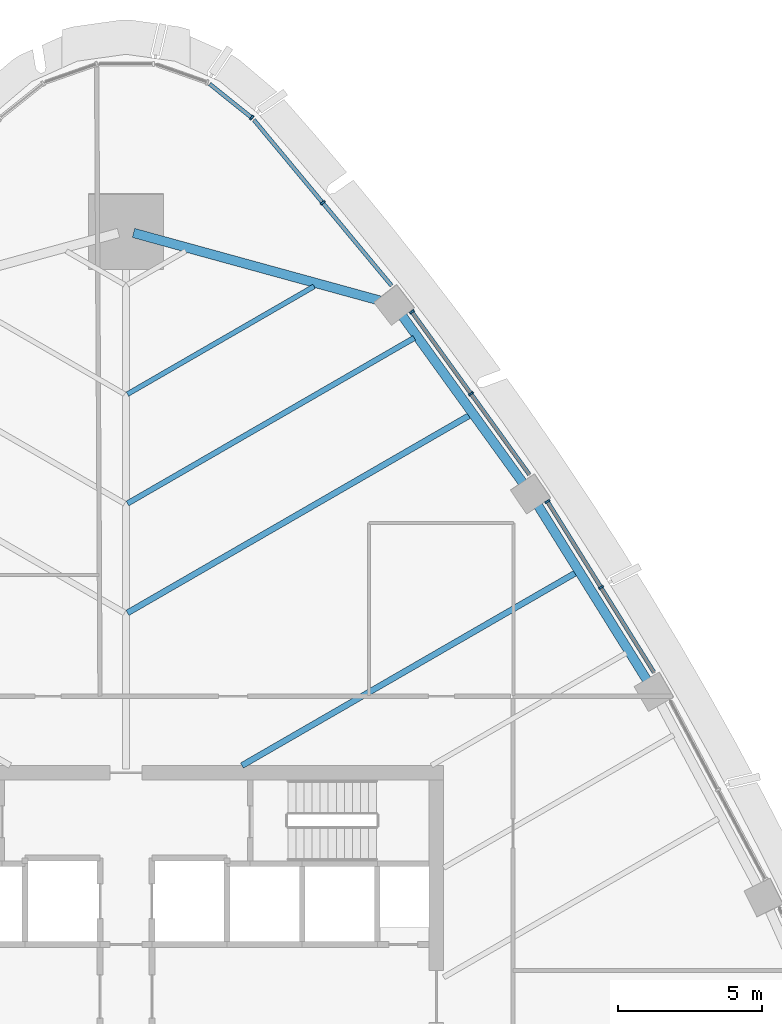
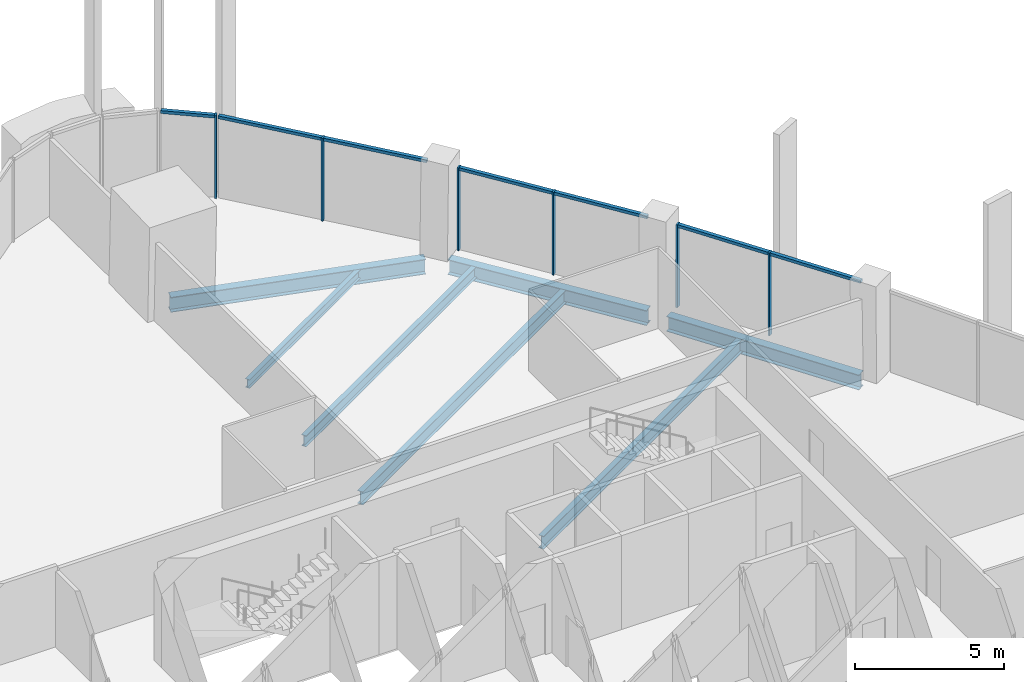
# One storey, part 7 of 17: 13 members, 7 beams, 4 elements without a shape of their own.
"""IFC4 building model written with IfcOpenShell, lengths in metres."""

from ifc_helpers import new_model, si_unit, direction, frame, origin, origin_2d, place, context, subcontext, project, spatial, rectangle, i_section, extrude, material, layer, layer_set, material_profile, profile_set, type_object, element, aggregate, save


model = new_model("IFC4")

# Units and contexts
model_context = context("Model", 3, precision=1e-05, world=origin(), true_north=direction((0.0, 1.0)))
body_context = subcontext(model_context, "Body", "Model", "MODEL_VIEW")
ifc_project = project(units=[si_unit("LENGTHUNIT", "METRE"), si_unit("AREAUNIT", "SQUARE_METRE"), si_unit("VOLUMEUNIT", "CUBIC_METRE"), si_unit("PLANEANGLEUNIT", "RADIAN"), si_unit("MASSUNIT", "GRAM", prefix="KILO")], contexts=[model_context])

# Site, building, storey
site_placement = place(None, origin())
site = spatial("IfcSite", under=ifc_project, at=site_placement, CompositionType="ELEMENT")
building_placement = place(site_placement, origin())
building = spatial("IfcBuilding", under=site, at=building_placement, Name="Sierra Prisma Convention Tower", CompositionType="ELEMENT")
storey_placement = place(building_placement, frame((0.0, 0.0, 201.800048828125)))
storey = spatial("IfcBuildingStorey", under=building, at=storey_placement, Name="L45", CompositionType="ELEMENT", Elevation=201.800048828125)

# Curtain wall, members
ifc_material_1 = material(Name="Aluminium and glass curtain wall", Category="aluminium")
ifc_layer = layer(ifc_material_1, 0.179931640625)
ifc_layer_set = layer_set([ifc_layer], Name="CW-1 Plain shaft curtain wall")
curtain_wall_type = type_object("IfcCurtainWallType", Name="CW-1 Plain shaft curtain wall", PredefinedType="NOTDEFINED", material=ifc_layer_set)
curtain_wall_1_placement = place(storey_placement, origin())
curtain_wall_1 = element("IfcCurtainWall", 1, at=curtain_wall_1_placement, inside=storey, type_object=curtain_wall_type, Name="CW-1 NE4 L45", PredefinedType="NOTDEFINED")
ifc_material_2 = material(Name="Aluminium 6063-T6 bronze anodised", Category="aluminium")
ifc_material_profile_1 = material_profile(ifc_material_2, rectangle(XDim=0.179931640625, YDim=0.070068359375, at=origin_2d()), Name="ALU MULLION 70x180")
ifc_profile_set_1 = profile_set([ifc_material_profile_1], Name="Aluminium 6063-T6 bronze anodised")
member_type_1 = type_object("IfcMemberType", Name="CW mullion bronze", PredefinedType="MULLION", material=ifc_profile_set_1)
member_1_placement = place(storey_placement, frame((16.450439453125, 14.166748046875, 0.0), z_axis=(0.0, 0.0, 1.0), x_axis=(-0.848568093007, -0.529086185353, 0.0)))
member_1 = element("IfcMember", 2, at=member_1_placement, type_object=member_type_1, Name="CW-1 mullion NE4.2", PredefinedType="MULLION", context=body_context, shape_type="SweptSolid", body=[
    extrude(rectangle(XDim=0.179931640625, YDim=0.070068359375, at=origin_2d()), origin(), (0.0, 0.0, 1.0), 3.39990234375),
])
member_2_placement = place(storey_placement, frame((14.593017578125, 17.14599609375, 0.0), z_axis=(0.0, 0.0, 1.0), x_axis=(-0.848568093007, -0.529086185353, 0.0)))
member_2 = element("IfcMember", 3, at=member_2_placement, type_object=member_type_1, Name="CW-1 mullion NE4.3", PredefinedType="MULLION", context=body_context, shape_type="SweptSolid", body=[
    extrude(rectangle(XDim=0.179931640625, YDim=0.070068359375, at=origin_2d()), origin(), (0.0, 0.0, 1.0), 3.39990234375),
])

curtain_wall_2_placement = place(storey_placement, origin())
curtain_wall_2 = element("IfcCurtainWall", 4, at=curtain_wall_2_placement, inside=storey, type_object=curtain_wall_type, Name="CW-1 NE5 L45", PredefinedType="NOTDEFINED")
member_3_placement = place(storey_placement, frame((11.944091796875, 20.8779296875, 0.0), z_axis=(0.0, 0.0, 1.0), x_axis=(-0.810745179898, -0.585399225548, 0.0)))
member_3 = element("IfcMember", 5, at=member_3_placement, type_object=member_type_1, Name="CW-1 mullion NE5.2", PredefinedType="MULLION", context=body_context, shape_type="SweptSolid", body=[
    extrude(rectangle(XDim=0.179931640625, YDim=0.070068359375, at=origin_2d()), origin(), (0.0, 0.0, 1.0), 3.39990234375),
])
member_4_placement = place(storey_placement, frame((9.897705078125, 23.7119140625, 0.0), z_axis=(0.0, 0.0, 1.0), x_axis=(-0.810745179898, -0.585399225548, 0.0)))
member_4 = element("IfcMember", 6, at=member_4_placement, type_object=member_type_1, Name="CW-1 mullion NE5.3", PredefinedType="MULLION", context=body_context, shape_type="SweptSolid", body=[
    extrude(rectangle(XDim=0.179931640625, YDim=0.070068359375, at=origin_2d()), origin(), (0.0, 0.0, 1.0), 3.39990234375),
])

# Curtain wall, member
curtain_wall_3_placement = place(storey_placement, origin())
curtain_wall_3 = element("IfcCurtainWall", 7, at=curtain_wall_3_placement, inside=storey, type_object=curtain_wall_type, Name="CW-1 NE6 L45", PredefinedType="NOTDEFINED")
member_5_placement = place(storey_placement, frame((6.810546875, 27.4892578125, 0.0), z_axis=(0.0, 0.0, 1.0), x_axis=(-0.769191435358, -0.639018415832, 0.0)))
member_5 = element("IfcMember", 8, at=member_5_placement, type_object=member_type_1, Name="CW-1 mullion NE6.2", PredefinedType="MULLION", context=body_context, shape_type="SweptSolid", body=[
    extrude(rectangle(XDim=0.179931640625, YDim=0.070068359375, at=origin_2d()), origin(), (0.0, 0.0, 1.0), 3.39990234375),
])

curtain_wall_4_placement = place(storey_placement, origin())
curtain_wall_4 = element("IfcCurtainWall", 9, at=curtain_wall_4_placement, inside=storey, type_object=curtain_wall_type, Name="CW-1 N1 L45", PredefinedType="NOTDEFINED")
member_6_placement = place(storey_placement, frame((4.353759765625, 30.435546875, 0.0), z_axis=(0.0, 0.0, 1.0), x_axis=(-0.624835061661, -0.780756777568, 0.0)))
member_6 = element("IfcMember", 10, at=member_6_placement, type_object=member_type_1, Name="CW-1 mullion N1.1", PredefinedType="MULLION", context=body_context, shape_type="SweptSolid", body=[
    extrude(rectangle(XDim=0.179931640625, YDim=0.070068359375, at=origin_2d()), origin(), (0.0, 0.0, 1.0), 3.39990234375),
])

# Member
ifc_material_3 = material(Name="Aluminium 6063-T6 bronze anodised", Category="aluminium")
ifc_material_profile_2 = material_profile(ifc_material_3, rectangle(XDim=0.139892578125, YDim=0.1201171875, at=origin_2d()), Name="ALU TRANSOM 120x140")
ifc_profile_set_2 = profile_set([ifc_material_profile_2], Name="Aluminium 6063-T6 bronze anodised")
member_type_2 = type_object("IfcMemberType", Name="CW transom bronze", PredefinedType="USERDEFINED", material=ifc_profile_set_2)
member_7_placement = place(storey_placement, frame((18.28955078125, 11.21728515625, 3.33984375), z_axis=(-0.52911211036, 0.848551928093, 0.0), x_axis=(-0.848551928093, -0.52911211036, 0.0)))
member_7 = element("IfcMember", 11, at=member_7_placement, type_object=member_type_2, Name="CW-1 transom NE4.1", ObjectType="TRANSOM", PredefinedType="USERDEFINED", context=body_context, shape_type="SweptSolid", body=[
    extrude(rectangle(XDim=0.139892578125, YDim=0.1201171875, at=origin_2d()), origin(), (0.0, 0.0, 1.0), 3.440673828125),
])

member_8_placement = place(storey_placement, frame((16.431884765625, 14.196533203125, 3.33984375), z_axis=(-0.529061016952, 0.848583785104, 0.0), x_axis=(-0.848583785104, -0.529061016952, 0.0)))
member_8 = element("IfcMember", 12, at=member_8_placement, type_object=member_type_2, Name="CW-1 transom NE4.2", ObjectType="TRANSOM", PredefinedType="USERDEFINED", context=body_context, shape_type="SweptSolid", body=[
    extrude(rectangle(XDim=0.139892578125, YDim=0.1201171875, at=origin_2d()), origin(), (0.0, 0.0, 1.0), 3.440673828125),
])

aggregate(curtain_wall_1, [member_1, member_2, member_7, member_8])

member_9_placement = place(storey_placement, frame((13.9697265625, 18.072265625, 3.33984375), z_axis=(-0.585396874917, 0.810746877168, 0.0), x_axis=(-0.810746877168, -0.585396874917, 0.0)))
member_9 = element("IfcMember", 13, at=member_9_placement, type_object=member_type_2, Name="CW-1 transom NE5.1", ObjectType="TRANSOM", PredefinedType="USERDEFINED", context=body_context, shape_type="SweptSolid", body=[
    extrude(rectangle(XDim=0.139892578125, YDim=0.1201171875, at=origin_2d()), origin(), (0.0, 0.0, 1.0), 3.42578125),
])

member_10_placement = place(storey_placement, frame((11.923583984375, 20.90625, 3.33984375), z_axis=(-0.585396874917, 0.810746877168, 0.0), x_axis=(-0.810746877168, -0.585396874917, 0.0)))
member_10 = element("IfcMember", 14, at=member_10_placement, type_object=member_type_2, Name="CW-1 transom NE5.2", ObjectType="TRANSOM", PredefinedType="USERDEFINED", context=body_context, shape_type="SweptSolid", body=[
    extrude(rectangle(XDim=0.139892578125, YDim=0.1201171875, at=origin_2d()), origin(), (0.0, 0.0, 1.0), 3.42578125),
])

aggregate(curtain_wall_2, [member_3, member_4, member_9, member_10])

member_11_placement = place(storey_placement, frame((9.1953125, 24.61865234375, 3.33984375), z_axis=(-0.638988436467, 0.76921634022, 0.0), x_axis=(-0.76921634022, -0.638988436467, 0.0)))
member_11 = element("IfcMember", 15, at=member_11_placement, type_object=member_type_2, Name="CW-1 transom NE6.1", ObjectType="TRANSOM", PredefinedType="USERDEFINED", context=body_context, shape_type="SweptSolid", body=[
    extrude(rectangle(XDim=0.139892578125, YDim=0.1201171875, at=origin_2d()), origin(), (0.0, 0.0, 1.0), 3.697021484375),
])

member_12_placement = place(storey_placement, frame((6.7880859375, 27.51611328125, 3.33984375), z_axis=(-0.638988436467, 0.76921634022, 0.0), x_axis=(-0.76921634022, -0.638988436467, 0.0)))
member_12 = element("IfcMember", 16, at=member_12_placement, type_object=member_type_2, Name="CW-1 transom NE6.2", ObjectType="TRANSOM", PredefinedType="USERDEFINED", context=body_context, shape_type="SweptSolid", body=[
    extrude(rectangle(XDim=0.139892578125, YDim=0.1201171875, at=origin_2d()), origin(), (0.0, 0.0, 1.0), 3.697021484375),
])

aggregate(curtain_wall_3, [member_5, member_11, member_12])

member_13_placement = place(storey_placement, frame((4.326416015625, 30.45751953125, 3.33984375), z_axis=(-0.780790688792, 0.624792685853, 0.0), x_axis=(-0.624792685853, -0.780790688792, 0.0)))
member_13 = element("IfcMember", 17, at=member_13_placement, type_object=member_type_2, Name="CW-1 transom N1.1", ObjectType="TRANSOM", PredefinedType="USERDEFINED", context=body_context, shape_type="SweptSolid", body=[
    extrude(rectangle(XDim=0.139892578125, YDim=0.1201171875, at=origin_2d()), origin(), (0.0, 0.0, 1.0), 1.82958984375),
])

aggregate(curtain_wall_4, [member_6, member_13])

# Beams
ifc_material_4 = material(Name="Steel ASTM A992 Gr 50", Category="steel")
ifc_material_profile_3 = material_profile(ifc_material_4, i_section(OverallWidth=0.172119140625, OverallDepth=0.35791015625, WebThickness=0.0078125, FlangeThickness=0.01318359375, at=origin_2d()), Name="W360x57")
ifc_profile_set_3 = profile_set([ifc_material_profile_3], Name="Steel ASTM A992 Gr 50")
beam_type_1 = type_object("IfcBeamType", Name="Floor joist W360x57", PredefinedType="JOIST", material=ifc_profile_set_3)
beam_1_placement = place(storey_placement, frame((6.514404296875, 24.5947265625, -0.3291015625), z_axis=(-0.866016173945, -0.50001598621, 0.0), x_axis=(0.50001598621, -0.866016173945, 0.0)))
element("IfcBeam", 18, at=beam_1_placement, inside=storey, type_object=beam_type_1, Name="Floor joist L45 NE13", PredefinedType="JOIST", context=body_context, shape_type="SweptSolid", body=[
    extrude(i_section(OverallWidth=0.172119140625, OverallDepth=0.35791015625, WebThickness=0.0078125, FlangeThickness=0.01318359375, at=origin_2d()), origin(), (0.0, 0.0, 1.0), 7.463623046875),
])
ifc_material_5 = material(Name="Steel ASTM A992 Gr 50", Category="steel")
ifc_material_profile_4 = material_profile(ifc_material_5, i_section(OverallWidth=0.18994140625, OverallDepth=0.45703125, WebThickness=0.009033203125, FlangeThickness=0.014404296875, at=origin_2d()), Name="W460x74")
ifc_profile_set_4 = profile_set([ifc_material_profile_4], Name="Steel ASTM A992 Gr 50")
beam_type_2 = type_object("IfcBeamType", Name="Floor joist W460x74", PredefinedType="JOIST", material=ifc_profile_set_4)
beam_2_placement = place(storey_placement, frame((9.980224609375, 22.8076171875, -0.378662109375), z_axis=(-0.866029209911, -0.499993407537, 0.0), x_axis=(0.499993407537, -0.866029209911, 0.0)))
element("IfcBeam", 19, at=beam_2_placement, inside=storey, type_object=beam_type_2, Name="Floor joist L45 NE12", PredefinedType="JOIST", context=body_context, shape_type="SweptSolid", body=[
    extrude(i_section(OverallWidth=0.18994140625, OverallDepth=0.45703125, WebThickness=0.009033203125, FlangeThickness=0.014404296875, at=origin_2d()), origin(), (0.0, 0.0, 1.0), 11.465576171875),
])
ifc_material_6 = material(Name="Steel ASTM A992 Gr 50", Category="steel")
ifc_material_profile_5 = material_profile(ifc_material_6, i_section(OverallWidth=0.208984375, OverallDepth=0.532958984375, WebThickness=0.01025390625, FlangeThickness=0.015625, at=origin_2d()), Name="W530x92")
ifc_profile_set_5 = profile_set([ifc_material_profile_5], Name="Steel ASTM A992 Gr 50")
beam_type_3 = type_object("IfcBeamType", Name="Floor joist W530x92", PredefinedType="JOIST", material=ifc_profile_set_5)
beam_3_placement = place(storey_placement, frame((15.58544921875, 14.68017578125, -0.41650390625), z_axis=(-0.866023694297, -0.500002960908, 0.0), x_axis=(0.500002960908, -0.866023694297, 0.0)))
element("IfcBeam", 20, at=beam_3_placement, inside=storey, type_object=beam_type_3, Name="Floor joist L45 NE09", PredefinedType="JOIST", context=body_context, shape_type="SweptSolid", body=[
    extrude(i_section(OverallWidth=0.208984375, OverallDepth=0.532958984375, WebThickness=0.01025390625, FlangeThickness=0.015625, at=origin_2d()), origin(), (0.0, 0.0, 1.0), 13.3603515625),
])
beam_4_placement = place(storey_placement, frame((11.910400390625, 20.13427734375, -0.41650390625), z_axis=(-0.866024971685, -0.500000748417, 0.0), x_axis=(0.500000748417, -0.866024971685, 0.0)))
element("IfcBeam", 21, at=beam_4_placement, inside=storey, type_object=beam_type_3, Name="Floor joist L45 NE11", PredefinedType="JOIST", context=body_context, shape_type="SweptSolid", body=[
    extrude(i_section(OverallWidth=0.208984375, OverallDepth=0.532958984375, WebThickness=0.01025390625, FlangeThickness=0.015625, at=origin_2d()), origin(), (0.0, 0.0, 1.0), 13.6943359375),
])
ifc_material_7 = material(Name="Steel ASTM A992 Gr 50", Category="steel")
ifc_material_profile_6 = material_profile(ifc_material_7, i_section(OverallWidth=0.324951171875, OverallDepth=0.615966796875, WebThickness=0.013916015625, FlangeThickness=0.021484375, at=origin_2d()), Name="W610x174")
ifc_profile_set_6 = profile_set([ifc_material_profile_6], Name="Steel ASTM A992 Gr 50")
beam_type_4 = type_object("IfcBeamType", Name="Spandrel beam W610x174", PredefinedType="BEAM", material=ifc_profile_set_6)
for number, where, z_axis, x_axis, name in (
    (22, (18.086669921875, 10.88134765625, -0.4580078125), (-0.529087162875, 0.848567483516, 0.0), (-0.848567483516, -0.529087162875, 0.0), "Spandrel L45-10"),
    (23, (13.790283203125, 17.723388671875, -0.4580078125), (-0.585395556631, 0.81074782903, 0.0), (-0.81074782903, -0.585395556631, 0.0), "Spandrel L45-11"),
):
    element("IfcBeam", number, at=place(storey_placement, frame(where, z_axis=z_axis, x_axis=x_axis)), inside=storey, type_object=beam_type_4, Name=name, PredefinedType="BEAM", context=body_context, shape_type="SweptSolid", body=[
        extrude(i_section(OverallWidth=0.324951171875, OverallDepth=0.615966796875, WebThickness=0.013916015625, FlangeThickness=0.021484375, at=origin_2d()), origin(), (0.0, 0.0, 1.0), 7.3193359375),
    ])
beam_5_placement = place(storey_placement, frame((8.7958984375, 24.099609375, -0.4580078125), z_axis=(-0.964288726947, 0.264853263303, 0.0), x_axis=(-0.264853263303, -0.964288726947, 0.0)))
element("IfcBeam", 24, at=beam_5_placement, inside=storey, type_object=beam_type_4, Name="Spandrel L45-12", PredefinedType="BEAM", context=body_context, shape_type="SweptSolid", body=[
    extrude(i_section(OverallWidth=0.324951171875, OverallDepth=0.615966796875, WebThickness=0.013916015625, FlangeThickness=0.021484375, at=origin_2d()), origin(), (0.0, 0.0, 1.0), 8.85205078125),
])

save(model, "model.ifc")
